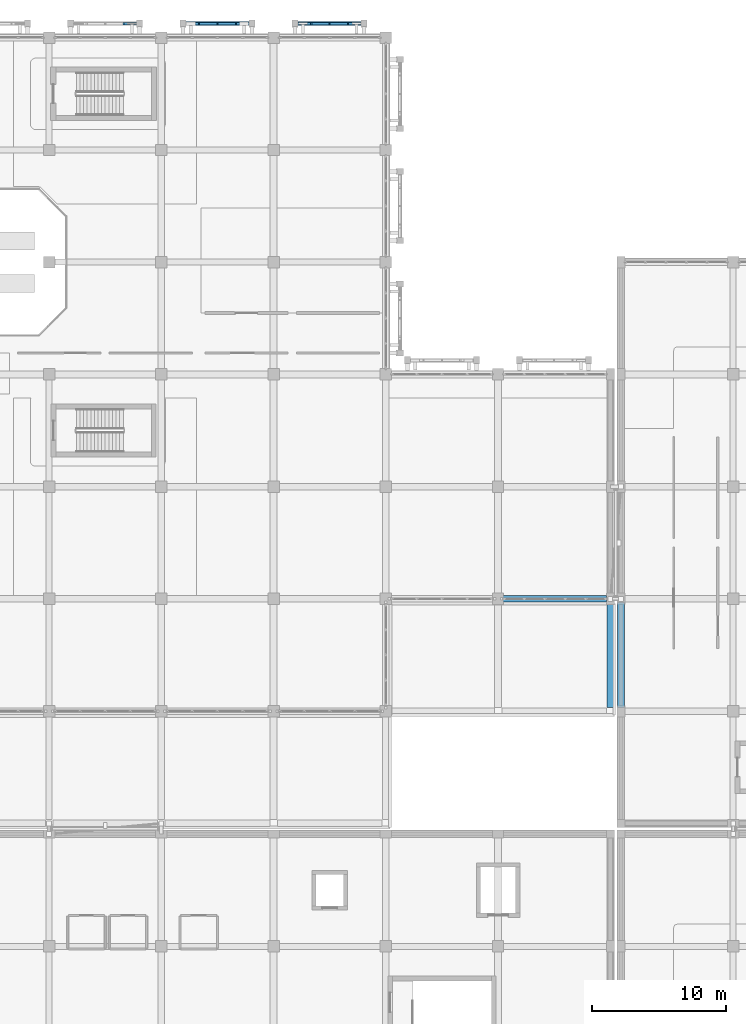
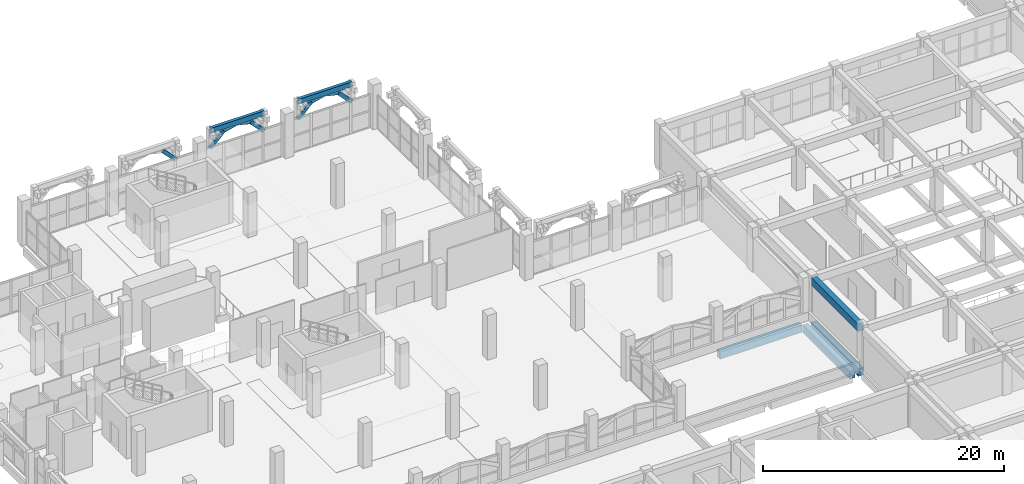
# One storey, part 58 of 129: 9 members, 6 beams.
"""IFC4 building model written with IfcOpenShell, lengths in metres."""

from ifc_helpers import new_model, si_unit, direction, frame, origin, origin_2d, place, context, subcontext, project, spatial, rectangle, extrude, material, material_profile, profile_set, type_object, element, save


model = new_model("IFC4")

# Units and contexts
model_context = context("Model", 3, precision=1e-05, world=origin(), true_north=direction((0.0, 1.0)))
body_context = subcontext(model_context, "Body", "Model", "MODEL_VIEW")
ifc_project = project(units=[si_unit("LENGTHUNIT", "METRE"), si_unit("AREAUNIT", "SQUARE_METRE"), si_unit("VOLUMEUNIT", "CUBIC_METRE"), si_unit("PLANEANGLEUNIT", "RADIAN"), si_unit("MASSUNIT", "GRAM", prefix="KILO")], contexts=[model_context])

# Site, building, storey
site_placement = place(None, origin())
site = spatial("IfcSite", under=ifc_project, at=site_placement, CompositionType="ELEMENT")
building_placement = place(site_placement, origin())
building = spatial("IfcBuilding", under=site, at=building_placement, Name="Xazarin Passage Department Store", CompositionType="ELEMENT")
storey_placement = place(building_placement, frame((0.0, 0.0, 9.89990234375)))
storey = spatial("IfcBuildingStorey", under=building, at=storey_placement, Name="L02", CompositionType="ELEMENT", Elevation=9.89990234375)

# Beams
ifc_material_1 = material(Name="Concrete C35/45", Category="concrete")
ifc_material_profile_1 = material_profile(ifc_material_1, rectangle(XDim=0.300048828125, YDim=0.5, at=origin_2d()), Name="RC 300x500")
ifc_profile_set_1 = profile_set([ifc_material_profile_1], Name="Concrete C35/45")
beam_type_1 = type_object("IfcBeamType", Name="STR-BM-LN300x500", PredefinedType="LINTEL", material=ifc_profile_set_1)
for number, where, z_axis, x_axis, name in (
    (1, (35.219970703125, 111.050048828125, 4.25), (1.0, 0.0, 0.0), (0.0, 1.0, 0.0), "L02 V1 Colonnade Spandrel Beam 003"),
    (2, (43.6201171875, 111.050048828125, 4.25), (1.0, 0.0, 0.0), (0.0, 1.0, 0.0), "L02 V1 Colonnade Spandrel Beam 004"),
):
    element("IfcBeam", number, at=place(storey_placement, frame(where, z_axis=z_axis, x_axis=x_axis)), inside=storey, type_object=beam_type_1, Name=name, PredefinedType="LINTEL", context=body_context, shape_type="SweptSolid", body=[
        extrude(rectangle(XDim=0.300048828125, YDim=0.5, at=origin_2d()), origin(), (0.0, 0.0, 1.0), 5.159912109375),
    ])
ifc_material_profile_2 = material_profile(ifc_material_1, rectangle(XDim=0.5, YDim=0.75, at=origin_2d()), Name="RC 500x750")
ifc_profile_set_2 = profile_set([ifc_material_profile_2], Name="Concrete C35/45")
beam_type_2 = type_object("IfcBeamType", Name="STR-BM-SP500x750", PredefinedType="SPANDREL", material=ifc_profile_set_2)
beam_placement = place(storey_placement, frame((59.080078125, 68.0, -0.6748046875), z_axis=(1.0, 0.0, 0.0), x_axis=(0.0, 1.0, 0.0)))
element("IfcBeam", 3, at=beam_placement, inside=storey, type_object=beam_type_2, Name="L02 Grid Beam K/8-9", PredefinedType="SPANDREL", context=body_context, shape_type="SweptSolid", body=[
    extrude(rectangle(XDim=0.5, YDim=0.75, at=origin_2d()), origin(), (0.0, 0.0, 1.0), 7.83984375),
])
for number, where, z_axis, x_axis, name in (
    (4, (67.199951171875, 59.8798828125, -0.6748046875), (0.0, 1.0, 0.0), (-1.0, 0.0, 0.0), "L02 Grid Beam 9/J-K"),
    (5, (68.0, 59.8798828125, -0.6748046875), (0.0, 1.0, 0.0), (-1.0, 0.0, 0.0), "L02 Grid Beam 10/J-K"),
    (6, (68.0, 59.8798828125, 3.864990234375), (0.0, 1.0, 0.0), (-1.0, 0.0, 0.0), "L02 Grid Beam 10/J-K"),
):
    element("IfcBeam", number, at=place(storey_placement, frame(where, z_axis=z_axis, x_axis=x_axis)), inside=storey, type_object=beam_type_2, Name=name, PredefinedType="SPANDREL", context=body_context, shape_type="SweptSolid", body=[
        extrude(rectangle(XDim=0.5, YDim=0.75, at=origin_2d()), origin(), (0.0, 0.0, 1.0), 7.840087890625),
    ])

# Members
ifc_material_2 = material(Name="Concrete C40/50", Category="concrete")
ifc_material_profile_3 = material_profile(ifc_material_2, rectangle(XDim=0.199951171875, YDim=0.360107421875, at=origin_2d()), Name="RC 200x360")
ifc_profile_set_3 = profile_set([ifc_material_profile_3], Name="Concrete C40/50")
member_type = type_object("IfcMemberType", Name="STR-MEM-ARC360", PredefinedType="CHORD", material=ifc_profile_set_3)
for number, where, z_axis, x_axis, name in (
    (7, (30.68994140625, 111.050048828125, 3.7705078125), (0.693460080602, 0.0, -0.720495049679), (0.0, 1.0, 0.0), "L02 V1 Pierced Lattice Curved Arch 002.4"),
    (8, (35.219970703125, 111.050048828125, 2.43017578125), (0.693460080602, 0.0, 0.720495049679), (0.0, 1.0, 0.0), "L02 V1 Pierced Lattice Curved Arch 003.1"),
):
    element("IfcMember", number, at=place(storey_placement, frame(where, z_axis=z_axis, x_axis=x_axis)), inside=storey, type_object=member_type, Name=name, PredefinedType="CHORD", context=body_context, shape_type="SweptSolid", body=[
        extrude(rectangle(XDim=0.199951171875, YDim=0.360107421875, at=origin_2d()), origin(), (0.0, 0.0, 1.0), 1.8603515625),
    ])
for number, where, z_axis, x_axis, name in (
    (9, (36.510009765625, 111.050048828125, 3.7705078125), (0.972393983317, 0.0, 0.233345111818), (0.0, 1.0, 0.0), "L02 V1 Pierced Lattice Curved Arch 003.2"),
    (10, (37.800048828125, 111.050048828125, 4.080078125), (0.972393983317, 0.0, -0.233345111818), (0.0, 1.0, 0.0), "L02 V1 Pierced Lattice Curved Arch 003.3"),
):
    element("IfcMember", number, at=place(storey_placement, frame(where, z_axis=z_axis, x_axis=x_axis)), inside=storey, type_object=member_type, Name=name, PredefinedType="CHORD", context=body_context, shape_type="SweptSolid", body=[
        extrude(rectangle(XDim=0.199951171875, YDim=0.360107421875, at=origin_2d()), origin(), (0.0, 0.0, 1.0), 1.32666015625),
    ])
for number, where, z_axis, x_axis, name in (
    (11, (39.090087890625, 111.050048828125, 3.7705078125), (0.693391944082, 0.0, -0.720560623322), (0.0, 1.0, 0.0), "L02 V1 Pierced Lattice Curved Arch 003.4"),
    (12, (43.6201171875, 111.050048828125, 2.43017578125), (0.693391944082, 0.0, 0.720560623322), (0.0, 1.0, 0.0), "L02 V1 Pierced Lattice Curved Arch 004.1"),
):
    element("IfcMember", number, at=place(storey_placement, frame(where, z_axis=z_axis, x_axis=x_axis)), inside=storey, type_object=member_type, Name=name, PredefinedType="CHORD", context=body_context, shape_type="SweptSolid", body=[
        extrude(rectangle(XDim=0.199951171875, YDim=0.360107421875, at=origin_2d()), origin(), (0.0, 0.0, 1.0), 1.860107421875),
    ])
for number, where, z_axis, x_axis, name in (
    (13, (44.909912109375, 111.050048828125, 3.7705078125), (0.972393983317, 0.0, 0.233345111818), (0.0, 1.0, 0.0), "L02 V1 Pierced Lattice Curved Arch 004.2"),
    (14, (46.199951171875, 111.050048828125, 4.080078125), (0.972393983317, 0.0, -0.233345111818), (0.0, 1.0, 0.0), "L02 V1 Pierced Lattice Curved Arch 004.3"),
):
    element("IfcMember", number, at=place(storey_placement, frame(where, z_axis=z_axis, x_axis=x_axis)), inside=storey, type_object=member_type, Name=name, PredefinedType="CHORD", context=body_context, shape_type="SweptSolid", body=[
        extrude(rectangle(XDim=0.199951171875, YDim=0.360107421875, at=origin_2d()), origin(), (0.0, 0.0, 1.0), 1.32666015625),
    ])
member_placement = place(storey_placement, frame((47.489990234375, 111.050048828125, 3.7705078125), z_axis=(0.693460080602, 0.0, -0.720495049679), x_axis=(0.0, 1.0, 0.0)))
element("IfcMember", 15, at=member_placement, inside=storey, type_object=member_type, Name="L02 V1 Pierced Lattice Curved Arch 004.4", PredefinedType="CHORD", context=body_context, shape_type="SweptSolid", body=[
    extrude(rectangle(XDim=0.199951171875, YDim=0.360107421875, at=origin_2d()), origin(), (0.0, 0.0, 1.0), 1.8603515625),
])

save(model, "model.ifc")
